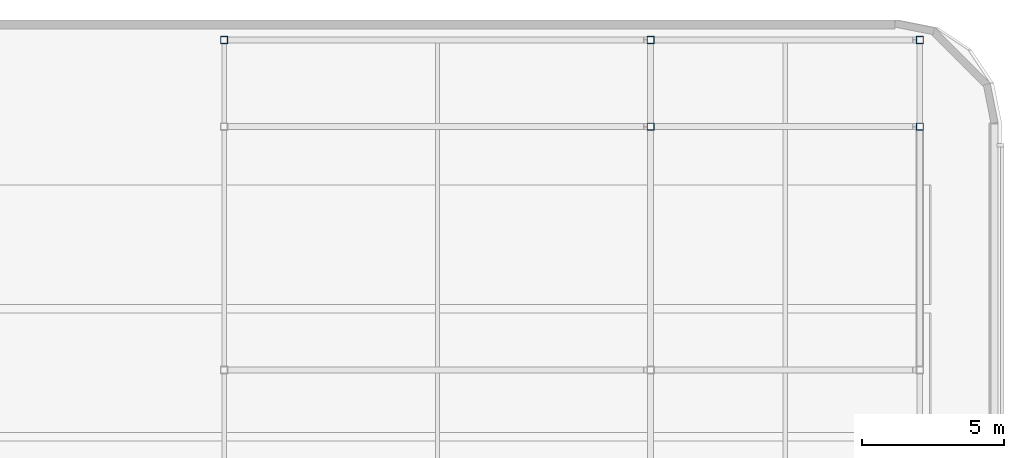
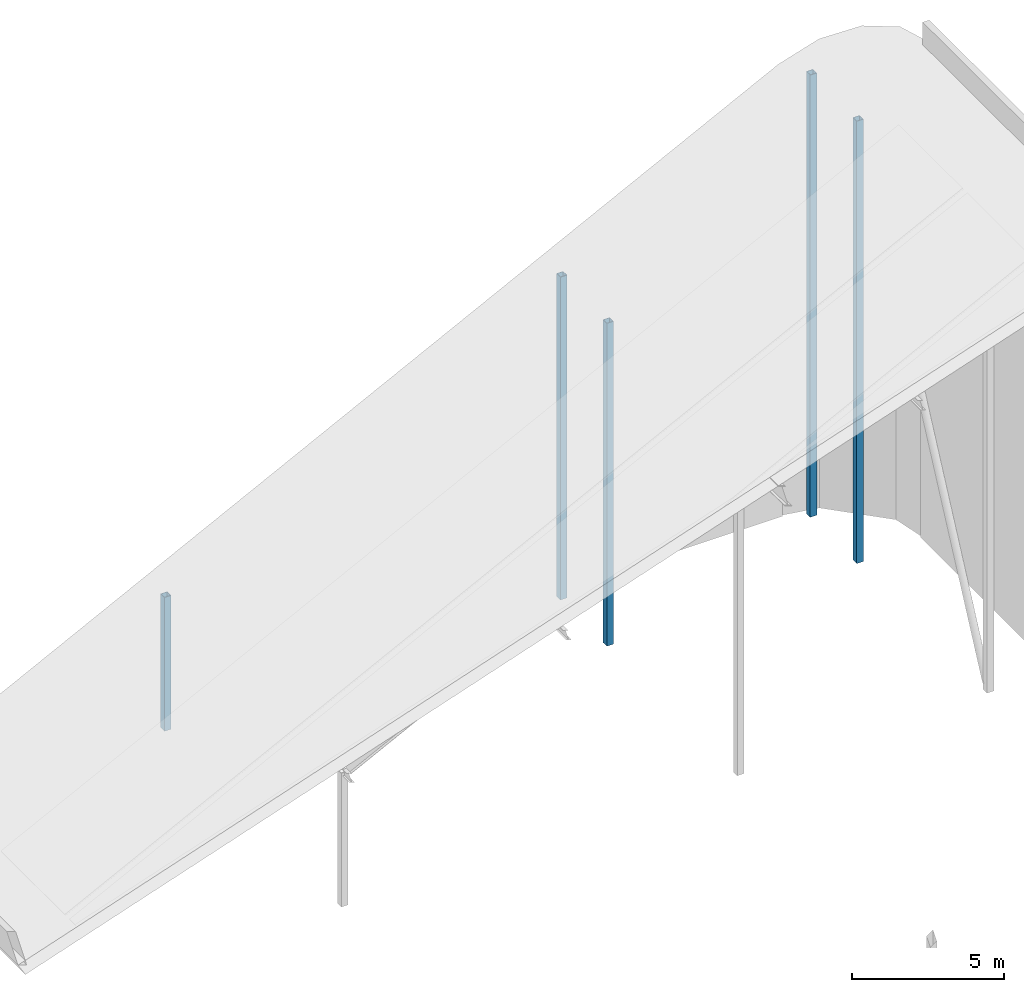
# One storey, part 2 of 4: 5 columns.
"""IFC4 building model written with IfcOpenShell, lengths in metres."""

from ifc_helpers import new_model, si_unit, direction, frame, origin, origin_2d, place, context, subcontext, project, spatial, hollow_rectangle, extrude, material, material_profile, profile_set, type_object, element, save


model = new_model("IFC4")

# Units and contexts
model_context = context("Model", 3, precision=1e-05, world=origin(), true_north=direction((0.0, 1.0)))
body_context = subcontext(model_context, "Body", "Model", "MODEL_VIEW")
ifc_project = project(units=[si_unit("LENGTHUNIT", "METRE"), si_unit("AREAUNIT", "SQUARE_METRE"), si_unit("VOLUMEUNIT", "CUBIC_METRE"), si_unit("PLANEANGLEUNIT", "RADIAN"), si_unit("MASSUNIT", "GRAM", prefix="KILO")], contexts=[model_context])

# Site, building, storey
site_placement = place(None, origin())
site = spatial("IfcSite", under=ifc_project, at=site_placement, CompositionType="ELEMENT")
building_placement = place(site_placement, origin())
building = spatial("IfcBuilding", under=site, at=building_placement, Name="Ochreholt Gables", CompositionType="ELEMENT")
storey_placement = place(building_placement, frame((0.0, 0.0, 293.0)))
storey = spatial("IfcBuildingStorey", under=building, at=storey_placement, Name="Roof", CompositionType="ELEMENT", Elevation=293.0)

# Columns
ifc_material = material(Name="Steel CSA G40.21 350W", Category="steel")
ifc_material_profile_1 = material_profile(ifc_material, hollow_rectangle(XDim=0.25390625, YDim=0.25390625, WallThickness=0.0126953125, at=origin_2d()), Name="HSS254X254X13")
ifc_profile_set_1 = profile_set([ifc_material_profile_1], Name="Steel CSA G40.21 350W")
column_type_1 = type_object("IfcColumnType", Name="COL-HSS254-CRN", PredefinedType="COLUMN", material=ifc_profile_set_1)
column_1_placement = place(storey_placement, frame((50.19091796875, 38.75, 0.00390625), z_axis=(0.0, 0.0, 1.0), x_axis=(1.0, 0.0, 0.0)))
element("IfcColumn", 1, at=column_1_placement, inside=storey, type_object=column_type_1, Name="Roof Crown Column EMY5", PredefinedType="COLUMN", context=body_context, shape_type="SweptSolid", body=[
    extrude(hollow_rectangle(XDim=0.25390625, YDim=0.25390625, WallThickness=0.0126953125, at=origin_2d()), origin(), (0.0, 0.0, 1.0), 12.92431640625),
])
ifc_material_profile_2 = material_profile(ifc_material, hollow_rectangle(XDim=0.25390625, YDim=0.25390625, WallThickness=0.0126953125, at=origin_2d()), Name="HSS254X254X13")
ifc_profile_set_2 = profile_set([ifc_material_profile_2], Name="Steel CSA G40.21 350W")
column_type_2 = type_object("IfcColumnType", Name="COL-HSS254-CRNE", PredefinedType="COLUMN", material=ifc_profile_set_2)
column_2_placement = place(storey_placement, frame((35.199951171875, 41.800048828125, 0.0), z_axis=(0.0, 0.0, 1.0), x_axis=(1.0, 0.0, 0.0)))
element("IfcColumn", 2, at=column_2_placement, inside=storey, type_object=column_type_2, Name="Roof Crown Column C2Y6", PredefinedType="COLUMN", context=body_context, shape_type="SweptSolid", body=[
    extrude(hollow_rectangle(XDim=0.25390625, YDim=0.25390625, WallThickness=0.0126953125, at=origin_2d()), origin(), (0.0, 0.0, 1.0), 5.3544921875),
])
column_3_placement = place(storey_placement, frame((50.19091796875, 41.800048828125, 0.00390625), z_axis=(0.0, 0.0, 1.0), x_axis=(1.0, 0.0, 0.0)))
element("IfcColumn", 3, at=column_3_placement, inside=storey, type_object=column_type_2, Name="Roof Crown Column EMY6", PredefinedType="COLUMN", context=body_context, shape_type="SweptSolid", body=[
    extrude(hollow_rectangle(XDim=0.25390625, YDim=0.25390625, WallThickness=0.0126953125, at=origin_2d()), origin(), (0.0, 0.0, 1.0), 12.92431640625),
])
for number, where, z_axis, x_axis, name in (
    (4, (59.65087890625, 38.75, 0.00390625), (0.0, 0.0, 1.0), (1.0, 0.0, 0.0), "Roof Crown Column EEY5"),
    (5, (59.65087890625, 41.800048828125, 0.00390625), (0.0, 0.0, 1.0), (1.0, 0.0, 0.0), "Roof Crown Column EEY6"),
):
    element("IfcColumn", number, at=place(storey_placement, frame(where, z_axis=z_axis, x_axis=x_axis)), inside=storey, type_object=column_type_2, Name=name, PredefinedType="COLUMN", context=body_context, shape_type="SweptSolid", body=[
        extrude(hollow_rectangle(XDim=0.25390625, YDim=0.25390625, WallThickness=0.0126953125, at=origin_2d()), origin(), (0.0, 0.0, 1.0), 17.70361328125),
    ])

save(model, "model.ifc")
